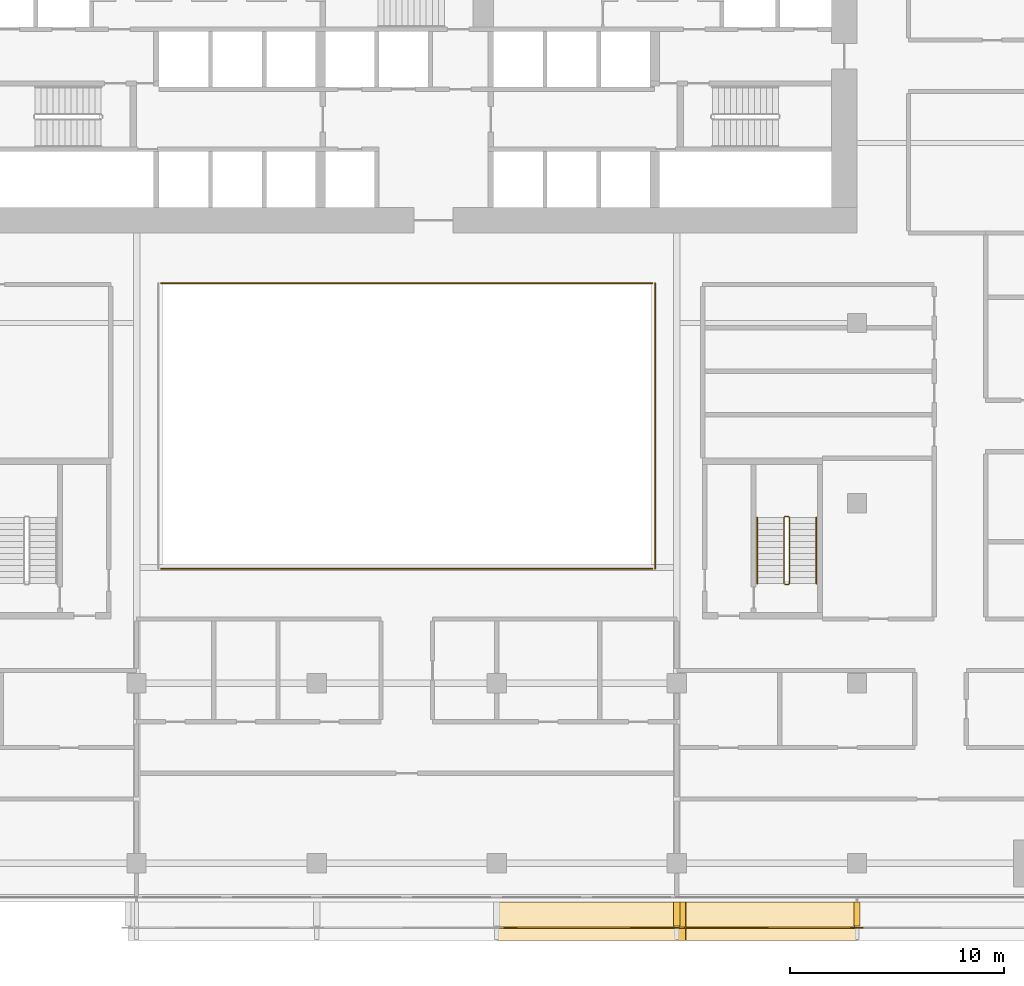
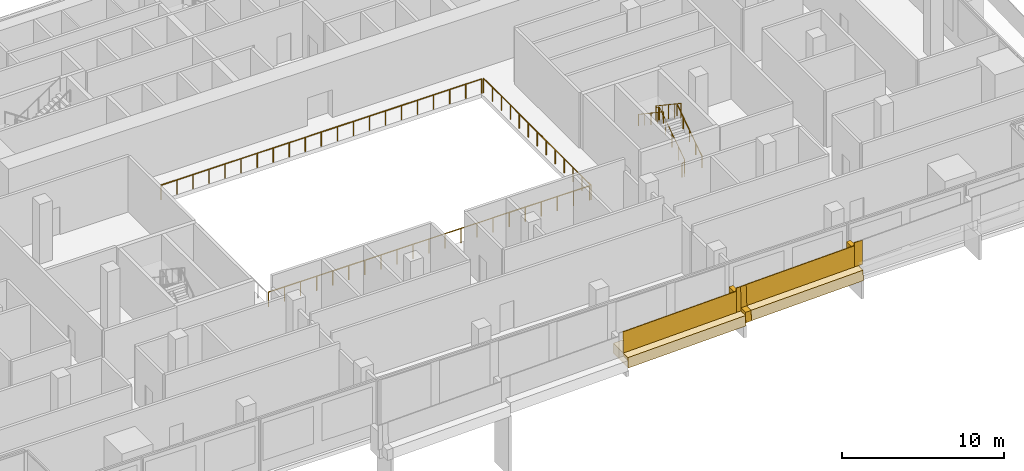
# One storey, part 21 of 24: 11 railings, 5 coverings.
"""IFC4 building model written with IfcOpenShell, lengths in metres."""

from ifc_helpers import new_model, si_unit, direction, frame, origin, origin_2d, place, context, subcontext, project, spatial, polyline, rectangle, circle, outline, extrude, material, layer, layer_set, type_object, element, save


model = new_model("IFC4")

# Units and contexts
model_context = context("Model", 3, precision=1e-05, world=origin(), true_north=direction((0.0, 1.0)))
body_context = subcontext(model_context, "Body", "Model", "MODEL_VIEW")
ifc_project = project(units=[si_unit("LENGTHUNIT", "METRE"), si_unit("AREAUNIT", "SQUARE_METRE"), si_unit("VOLUMEUNIT", "CUBIC_METRE"), si_unit("PLANEANGLEUNIT", "RADIAN"), si_unit("MASSUNIT", "GRAM", prefix="KILO")], contexts=[model_context])

# Site, building, storey
site_placement = place(None, origin())
site = spatial("IfcSite", under=ifc_project, at=site_placement, CompositionType="ELEMENT")
building_placement = place(site_placement, origin())
building = spatial("IfcBuilding", under=site, at=building_placement, Name="Saffron Gate Tower", CompositionType="ELEMENT")
storey_placement = place(building_placement, frame((0.0, 0.0, 28.199951171875)))
storey = spatial("IfcBuildingStorey", under=building, at=storey_placement, Name="L05", CompositionType="ELEMENT", Elevation=28.199951171875)

# Railings
ifc_material_1 = material(Name="Stainless steel and laminated glass", Category="steel")
railing_type_1 = type_object("IfcRailingType", Name="AG1 Atrium edge guard 1100", PredefinedType="GUARDRAIL", material=ifc_material_1)
railing_1_placement = place(storey_placement, frame((76.139892578125, 58.860107421875, 0.0)))
element("IfcRailing", 1, at=railing_1_placement, inside=storey, type_object=railing_type_1, Name="Guard S2-2", PredefinedType="GUARDRAIL", context=body_context, shape_type="SweptSolid", body=[
    extrude(circle(Radius=0.02392578125, at=origin_2d()), frame((0.0, 0.0, 1.076171875), z_axis=(1.0, 0.0, 0.0), x_axis=(0.0, 1.0, 0.0)), (0.0, 0.0, 1.0), 22.920166015625),
    extrude(circle(Radius=0.02099609375, at=origin_2d()), origin(), (0.0, 0.0, 1.0), 1.052001953125),
    extrude(circle(Radius=0.02099609375, at=origin_2d()), frame((1.14599609375, 0.0, 0.0)), (0.0, 0.0, 1.0), 1.052001953125),
    extrude(circle(Radius=0.02099609375, at=origin_2d()), frame((2.2919921875, 0.0, 0.0)), (0.0, 0.0, 1.0), 1.052001953125),
    extrude(circle(Radius=0.02099609375, at=origin_2d()), frame((3.43798828125, 0.0, 0.0)), (0.0, 0.0, 1.0), 1.052001953125),
    extrude(circle(Radius=0.02099609375, at=origin_2d()), frame((4.583984375, 0.0, 0.0)), (0.0, 0.0, 1.0), 1.052001953125),
    extrude(circle(Radius=0.02099609375, at=origin_2d()), frame((5.72998046875, 0.0, 0.0)), (0.0, 0.0, 1.0), 1.052001953125),
    extrude(circle(Radius=0.02099609375, at=origin_2d()), frame((6.8759765625, 0.0, 0.0)), (0.0, 0.0, 1.0), 1.052001953125),
    extrude(circle(Radius=0.02099609375, at=origin_2d()), frame((8.02197265625, 0.0, 0.0)), (0.0, 0.0, 1.0), 1.052001953125),
    extrude(circle(Radius=0.02099609375, at=origin_2d()), frame((9.16796875, 0.0, 0.0)), (0.0, 0.0, 1.0), 1.052001953125),
    extrude(circle(Radius=0.02099609375, at=origin_2d()), frame((10.31396484375, 0.0, 0.0)), (0.0, 0.0, 1.0), 1.052001953125),
    extrude(circle(Radius=0.02099609375, at=origin_2d()), frame((11.4599609375, 0.0, 0.0)), (0.0, 0.0, 1.0), 1.052001953125),
    extrude(circle(Radius=0.02099609375, at=origin_2d()), frame((12.606201171875, 0.0, 0.0)), (0.0, 0.0, 1.0), 1.052001953125),
    extrude(circle(Radius=0.02099609375, at=origin_2d()), frame((13.752197265625, 0.0, 0.0)), (0.0, 0.0, 1.0), 1.052001953125),
    extrude(circle(Radius=0.02099609375, at=origin_2d()), frame((14.898193359375, 0.0, 0.0)), (0.0, 0.0, 1.0), 1.052001953125),
    extrude(circle(Radius=0.02099609375, at=origin_2d()), frame((16.044189453125, 0.0, 0.0)), (0.0, 0.0, 1.0), 1.052001953125),
    extrude(circle(Radius=0.02099609375, at=origin_2d()), frame((17.190185546875, 0.0, 0.0)), (0.0, 0.0, 1.0), 1.052001953125),
    extrude(circle(Radius=0.02099609375, at=origin_2d()), frame((18.336181640625, 0.0, 0.0)), (0.0, 0.0, 1.0), 1.052001953125),
    extrude(circle(Radius=0.02099609375, at=origin_2d()), frame((19.482177734375, 0.0, 0.0)), (0.0, 0.0, 1.0), 1.052001953125),
    extrude(circle(Radius=0.02099609375, at=origin_2d()), frame((20.628173828125, 0.0, 0.0)), (0.0, 0.0, 1.0), 1.052001953125),
    extrude(circle(Radius=0.02099609375, at=origin_2d()), frame((21.774169921875, 0.0, 0.0)), (0.0, 0.0, 1.0), 1.052001953125),
    extrude(circle(Radius=0.02099609375, at=origin_2d()), frame((22.920166015625, 0.0, 0.0)), (0.0, 0.0, 1.0), 1.052001953125),
])
railing_2_placement = place(storey_placement, frame((99.179931640625, 58.860107421875, 0.0)))
element("IfcRailing", 2, at=railing_2_placement, inside=storey, type_object=railing_type_1, Name="Guard S2-3", PredefinedType="GUARDRAIL", context=body_context, shape_type="SweptSolid", body=[
    extrude(circle(Radius=0.02392578125, at=origin_2d()), frame((0.0, 0.0, 1.076171875), z_axis=(0.0, -1.0, 0.0), x_axis=(1.0, 0.0, 0.0)), (0.0, 0.0, 1.0), 13.320068359375),
    extrude(circle(Radius=0.02099609375, at=origin_2d()), origin(), (0.0, 0.0, 1.0), 1.052001953125),
    extrude(circle(Radius=0.02099609375, at=origin_2d()), frame((0.0, -1.110107421875, 0.0)), (0.0, 0.0, 1.0), 1.052001953125),
    extrude(circle(Radius=0.02099609375, at=origin_2d()), frame((0.0, -2.219970703125, 0.0)), (0.0, 0.0, 1.0), 1.052001953125),
    extrude(circle(Radius=0.02099609375, at=origin_2d()), frame((0.0, -3.330078125, 0.0)), (0.0, 0.0, 1.0), 1.052001953125),
    extrude(circle(Radius=0.02099609375, at=origin_2d()), frame((0.0, -4.43994140625, 0.0)), (0.0, 0.0, 1.0), 1.052001953125),
    extrude(circle(Radius=0.02099609375, at=origin_2d()), frame((0.0, -5.550048828125, 0.0)), (0.0, 0.0, 1.0), 1.052001953125),
    extrude(circle(Radius=0.02099609375, at=origin_2d()), frame((0.0, -6.66015625, 0.0)), (0.0, 0.0, 1.0), 1.052001953125),
    extrude(circle(Radius=0.02099609375, at=origin_2d()), frame((0.0, -7.77001953125, 0.0)), (0.0, 0.0, 1.0), 1.052001953125),
    extrude(circle(Radius=0.02099609375, at=origin_2d()), frame((0.0, -8.880126953125, 0.0)), (0.0, 0.0, 1.0), 1.052001953125),
    extrude(circle(Radius=0.02099609375, at=origin_2d()), frame((0.0, -9.989990234375, 0.0)), (0.0, 0.0, 1.0), 1.052001953125),
    extrude(circle(Radius=0.02099609375, at=origin_2d()), frame((0.0, -11.10009765625, 0.0)), (0.0, 0.0, 1.0), 1.052001953125),
    extrude(circle(Radius=0.02099609375, at=origin_2d()), frame((0.0, -12.2099609375, 0.0)), (0.0, 0.0, 1.0), 1.052001953125),
    extrude(circle(Radius=0.02099609375, at=origin_2d()), frame((0.0, -13.320068359375, 0.0)), (0.0, 0.0, 1.0), 1.052001953125),
])
railing_3_placement = place(storey_placement, frame((99.06005859375, 45.5400390625, 0.0)))
element("IfcRailing", 3, at=railing_3_placement, inside=storey, type_object=railing_type_1, Name="Guard S2-4", PredefinedType="GUARDRAIL", context=body_context, shape_type="SweptSolid", body=[
    extrude(circle(Radius=0.02392578125, at=origin_2d()), frame((0.0, 0.0, 1.076171875), z_axis=(-1.0, 0.0, 0.0), x_axis=(0.0, -1.0, 0.0)), (0.0, 0.0, 1.0), 22.920166015625),
    extrude(circle(Radius=0.02099609375, at=origin_2d()), origin(), (0.0, 0.0, 1.0), 1.052001953125),
    extrude(circle(Radius=0.02099609375, at=origin_2d()), frame((-1.14599609375, 0.0, 0.0)), (0.0, 0.0, 1.0), 1.052001953125),
    extrude(circle(Radius=0.02099609375, at=origin_2d()), frame((-2.2919921875, 0.0, 0.0)), (0.0, 0.0, 1.0), 1.052001953125),
    extrude(circle(Radius=0.02099609375, at=origin_2d()), frame((-3.43798828125, 0.0, 0.0)), (0.0, 0.0, 1.0), 1.052001953125),
    extrude(circle(Radius=0.02099609375, at=origin_2d()), frame((-4.583984375, 0.0, 0.0)), (0.0, 0.0, 1.0), 1.052001953125),
    extrude(circle(Radius=0.02099609375, at=origin_2d()), frame((-5.72998046875, 0.0, 0.0)), (0.0, 0.0, 1.0), 1.052001953125),
    extrude(circle(Radius=0.02099609375, at=origin_2d()), frame((-6.8759765625, 0.0, 0.0)), (0.0, 0.0, 1.0), 1.052001953125),
    extrude(circle(Radius=0.02099609375, at=origin_2d()), frame((-8.02197265625, 0.0, 0.0)), (0.0, 0.0, 1.0), 1.052001953125),
    extrude(circle(Radius=0.02099609375, at=origin_2d()), frame((-9.16796875, 0.0, 0.0)), (0.0, 0.0, 1.0), 1.052001953125),
    extrude(circle(Radius=0.02099609375, at=origin_2d()), frame((-10.31396484375, 0.0, 0.0)), (0.0, 0.0, 1.0), 1.052001953125),
    extrude(circle(Radius=0.02099609375, at=origin_2d()), frame((-11.4599609375, 0.0, 0.0)), (0.0, 0.0, 1.0), 1.052001953125),
    extrude(circle(Radius=0.02099609375, at=origin_2d()), frame((-12.606201171875, 0.0, 0.0)), (0.0, 0.0, 1.0), 1.052001953125),
    extrude(circle(Radius=0.02099609375, at=origin_2d()), frame((-13.752197265625, 0.0, 0.0)), (0.0, 0.0, 1.0), 1.052001953125),
    extrude(circle(Radius=0.02099609375, at=origin_2d()), frame((-14.898193359375, 0.0, 0.0)), (0.0, 0.0, 1.0), 1.052001953125),
    extrude(circle(Radius=0.02099609375, at=origin_2d()), frame((-16.044189453125, 0.0, 0.0)), (0.0, 0.0, 1.0), 1.052001953125),
    extrude(circle(Radius=0.02099609375, at=origin_2d()), frame((-17.190185546875, 0.0, 0.0)), (0.0, 0.0, 1.0), 1.052001953125),
    extrude(circle(Radius=0.02099609375, at=origin_2d()), frame((-18.336181640625, 0.0, 0.0)), (0.0, 0.0, 1.0), 1.052001953125),
    extrude(circle(Radius=0.02099609375, at=origin_2d()), frame((-19.482177734375, 0.0, 0.0)), (0.0, 0.0, 1.0), 1.052001953125),
    extrude(circle(Radius=0.02099609375, at=origin_2d()), frame((-20.628173828125, 0.0, 0.0)), (0.0, 0.0, 1.0), 1.052001953125),
    extrude(circle(Radius=0.02099609375, at=origin_2d()), frame((-21.774169921875, 0.0, 0.0)), (0.0, 0.0, 1.0), 1.052001953125),
    extrude(circle(Radius=0.02099609375, at=origin_2d()), frame((-22.920166015625, 0.0, 0.0)), (0.0, 0.0, 1.0), 1.052001953125),
])
railing_type_2 = type_object("IfcRailingType", Name="CR1 Stair guard 1100", PredefinedType="GUARDRAIL", material=ifc_material_1)
railing_4_placement = place(storey_placement, frame((105.25, 44.800048828125, 0.0)))
element("IfcRailing", 4, at=railing_4_placement, inside=storey, type_object=railing_type_2, Name="L05 ST-E stair guard 1", PredefinedType="GUARDRAIL", context=body_context, shape_type="SweptSolid", body=[
    extrude(circle(Radius=0.02392578125, at=origin_2d()), frame((0.0, 0.0, 1.076171875), z_axis=(1.0, 0.0, 0.0), x_axis=(0.0, 1.0, 0.0)), (0.0, 0.0, 1.0), 0.14990234375),
    extrude(circle(Radius=0.02392578125, at=origin_2d()), frame((0.14990234375, 0.0, 1.076171875), z_axis=(0.249726431254, 0.249726431254, 0.935560483917), x_axis=(-0.707106781187, 0.707106781187, 0.0)), (0.0, 0.0, 1.0), 0.200439453125),
    extrude(circle(Radius=0.02392578125, at=origin_2d()), frame((0.199951171875, 0.050048828125, 1.263671875), z_axis=(0.0, 0.830893310487, 0.556431762742), x_axis=(-1.0, 0.0, 0.0)), (0.0, 0.0, 1.0), 3.70654296875),
    extrude(circle(Radius=0.02392578125, at=origin_2d()), frame((0.199951171875, 3.1298828125, 3.326171875), z_axis=(-0.707106781187, 0.707106781187, 0.0), x_axis=(-0.707106781187, -0.707106781187, 0.0)), (0.0, 0.0, 1.0), 0.07080078125),
    extrude(circle(Radius=0.02392578125, at=origin_2d()), frame((0.14990234375, 3.179931640625, 3.326171875), z_axis=(-1.0, 0.0, 0.0), x_axis=(0.0, -1.0, 0.0)), (0.0, 0.0, 1.0), 0.14990234375),
    extrude(circle(Radius=0.02392578125, at=origin_2d()), frame((0.0, 3.179931640625, 3.326171875), z_axis=(-0.249726431254, -0.249726431254, 0.935560483917), x_axis=(0.707106781187, -0.707106781187, 0.0)), (0.0, 0.0, 1.0), 0.200439453125),
    extrude(circle(Radius=0.02392578125, at=origin_2d()), frame((-0.050048828125, 3.1298828125, 3.513671875), z_axis=(0.0, -0.830893310487, 0.556431762742), x_axis=(1.0, 0.0, 0.0)), (0.0, 0.0, 1.0), 3.70654296875),
    extrude(circle(Radius=0.02099609375, at=origin_2d()), origin(), (0.0, 0.0, 1.0), 1.052001953125),
    extrude(circle(Radius=0.02099609375, at=origin_2d()), frame((0.14990234375, 0.0, 0.0)), (0.0, 0.0, 1.0), 1.052001953125),
    extrude(circle(Radius=0.02099609375, at=origin_2d()), frame((0.199951171875, 0.050048828125, 0.1875)), (0.0, 0.0, 1.0), 1.052001953125),
    extrude(circle(Radius=0.02099609375, at=origin_2d()), frame((0.199951171875, 0.820068359375, 0.703125)), (0.0, 0.0, 1.0), 1.052001953125),
    extrude(circle(Radius=0.02099609375, at=origin_2d()), frame((0.199951171875, 1.58984375, 1.21875)), (0.0, 0.0, 1.0), 1.052001953125),
    extrude(circle(Radius=0.02099609375, at=origin_2d()), frame((0.199951171875, 2.35986328125, 1.734375)), (0.0, 0.0, 1.0), 1.052001953125),
    extrude(circle(Radius=0.02099609375, at=origin_2d()), frame((0.199951171875, 3.1298828125, 2.25)), (0.0, 0.0, 1.0), 1.052001953125),
    extrude(circle(Radius=0.02099609375, at=origin_2d()), frame((0.14990234375, 3.179931640625, 2.25)), (0.0, 0.0, 1.0), 1.052001953125),
    extrude(circle(Radius=0.02099609375, at=origin_2d()), frame((0.0, 3.179931640625, 2.25)), (0.0, 0.0, 1.0), 1.052001953125),
    extrude(circle(Radius=0.02099609375, at=origin_2d()), frame((-0.050048828125, 3.1298828125, 2.4375)), (0.0, 0.0, 1.0), 1.052001953125),
    extrude(circle(Radius=0.02099609375, at=origin_2d()), frame((-0.050048828125, 2.35986328125, 2.953125)), (0.0, 0.0, 1.0), 1.052001953125),
    extrude(circle(Radius=0.02099609375, at=origin_2d()), frame((-0.050048828125, 1.58984375, 3.46875)), (0.0, 0.0, 1.0), 1.052001953125),
    extrude(circle(Radius=0.02099609375, at=origin_2d()), frame((-0.050048828125, 0.820068359375, 3.984375)), (0.0, 0.0, 1.0), 1.052001953125),
    extrude(circle(Radius=0.02099609375, at=origin_2d()), frame((-0.050048828125, 0.050048828125, 4.5)), (0.0, 0.0, 1.0), 1.052001953125),
])
ifc_material_2 = material(Name="Stainless steel", Category="steel")
railing_type_3 = type_object("IfcRailingType", Name="CR2 Stair handrail 900", PredefinedType="HANDRAIL", material=ifc_material_2)
railing_5_placement = place(storey_placement, frame((106.699951171875, 44.85009765625, 0.1875)))
element("IfcRailing", 5, at=railing_5_placement, inside=storey, type_object=railing_type_3, Name="L05 ST-E stair handrail 1", PredefinedType="HANDRAIL", context=body_context, shape_type="SweptSolid", body=[
    extrude(circle(Radius=0.02392578125, at=origin_2d()), frame((0.0, 0.0, 0.8759765625), z_axis=(0.0, 0.830893310487, 0.556431762742), x_axis=(-1.0, 0.0, 0.0)), (0.0, 0.0, 1.0), 3.70654296875),
    extrude(circle(Radius=0.02099609375, at=origin_2d()), origin(), (0.0, 0.0, 1.0), 0.851806640625),
    extrude(circle(Radius=0.02099609375, at=origin_2d()), frame((0.0, 0.77001953125, 0.515625)), (0.0, 0.0, 1.0), 0.851806640625),
    extrude(circle(Radius=0.02099609375, at=origin_2d()), frame((0.0, 1.5400390625, 1.03125)), (0.0, 0.0, 1.0), 0.851806640625),
    extrude(circle(Radius=0.02099609375, at=origin_2d()), frame((0.0, 2.309814453125, 1.546875)), (0.0, 0.0, 1.0), 0.851806640625),
    extrude(circle(Radius=0.02099609375, at=origin_2d()), frame((0.0, 3.079833984375, 2.0625)), (0.0, 0.0, 1.0), 0.851806640625),
])
railing_6_placement = place(storey_placement, frame((103.949951171875, 47.929931640625, 2.4375)))
element("IfcRailing", 6, at=railing_6_placement, inside=storey, type_object=railing_type_3, Name="L05 ST-E stair handrail 2", PredefinedType="HANDRAIL", context=body_context, shape_type="SweptSolid", body=[
    extrude(circle(Radius=0.02392578125, at=origin_2d()), frame((0.0, 0.0, 0.8759765625), z_axis=(0.0, -0.830893310487, 0.556431762742), x_axis=(1.0, 0.0, 0.0)), (0.0, 0.0, 1.0), 3.70654296875),
    extrude(circle(Radius=0.02099609375, at=origin_2d()), origin(), (0.0, 0.0, 1.0), 0.851806640625),
    extrude(circle(Radius=0.02099609375, at=origin_2d()), frame((0.0, -0.77001953125, 0.515625)), (0.0, 0.0, 1.0), 0.851806640625),
    extrude(circle(Radius=0.02099609375, at=origin_2d()), frame((0.0, -1.5400390625, 1.03125)), (0.0, 0.0, 1.0), 0.851806640625),
    extrude(circle(Radius=0.02099609375, at=origin_2d()), frame((0.0, -2.309814453125, 1.546875)), (0.0, 0.0, 1.0), 0.851806640625),
    extrude(circle(Radius=0.02099609375, at=origin_2d()), frame((0.0, -3.079833984375, 2.0625)), (0.0, 0.0, 1.0), 0.851806640625),
])

# Coverings
ifc_material_3 = material(Name="Timber, thermally modified ash", Category="wood")
ifc_layer_1 = layer(ifc_material_3, 0.800048828125)
ifc_layer_set_1 = layer_set([ifc_layer_1], Name="LD1 ledge timber")
covering_type_1 = type_object("IfcCoveringType", Name="LD1 ledge timber", PredefinedType="CLADDING", material=ifc_layer_set_1)
covering_1_placement = place(storey_placement, frame((91.800048828125, 30.0, 1.159423828125), z_axis=(-0.028791175352, 0.0, 0.999585448184), x_axis=(0.999585448184, 0.0, 0.028791175352)))
element("IfcCovering", 7, at=covering_1_placement, inside=storey, type_object=covering_type_1, Name="LEDGE", PredefinedType="CLADDING", context=body_context, shape_type="SweptSolid", body=[
    extrude(outline(polyline([(0.0, 0.0), (8.403385982666892, 0.0), (8.403385982666892, -1.800048828125), (0.0, -1.800048828125), (0.0, 0.0)])), origin(), (0.0, 0.0, -1.0), 0.800048828125),
])
covering_2_placement = place(storey_placement, frame((100.199951171875, 30.0, 1.632568359375), z_axis=(-0.028664238881, 0.0, 0.999589096284), x_axis=(0.999589096284, 0.0, 0.028664238881)))
element("IfcCovering", 8, at=covering_2_placement, inside=storey, type_object=covering_type_1, Name="LEDGE", PredefinedType="CLADDING", context=body_context, shape_type="SweptSolid", body=[
    extrude(outline(polyline([(0.0, 0.0), (0.40031097364171886, 0.0), (0.40031097364171886, -1.8000488281250004), (0.0, -1.8000488281250004), (0.0, 0.0)])), origin(), (0.0, 0.0, -1.0), 0.800048828125),
])
covering_3_placement = place(storey_placement, frame((100.60009765625, 30.0, 1.655029296875), z_axis=(-0.028796646555, 0.0, 0.999585290582), x_axis=(0.999585290582, 0.0, 0.028796646555)))
element("IfcCovering", 9, at=covering_3_placement, inside=storey, type_object=covering_type_1, Name="LEDGE", PredefinedType="CLADDING", context=body_context, shape_type="SweptSolid", body=[
    extrude(outline(polyline([(0.0, 0.0), (8.003319051788862, 0.0), (8.003319051788862, -1.800048828125), (0.0, -1.800048828125), (0.0, 0.0)])), origin(), (0.0, 0.0, -1.0), 0.800048828125),
])
ifc_layer_2 = layer(ifc_material_3, 0.300048828125)
ifc_layer_set_2 = layer_set([ifc_layer_2], Name="LD3 ledge riser fin")
covering_type_2 = type_object("IfcCoveringType", Name="LD3 ledge riser fin", PredefinedType="CLADDING", material=ifc_layer_set_2)
covering_4_placement = place(storey_placement, frame((100.199951171875, 29.43994140625, 0.601318359375), z_axis=(0.0, 0.0, 1.0), x_axis=(1.0, 0.0, 0.0)))
element("IfcCovering", 10, at=covering_4_placement, inside=storey, type_object=covering_type_2, Name="LEDGE riser fin", PredefinedType="CLADDING", context=body_context, shape_type="SweptSolid", body=[
    extrude(rectangle(XDim=0.300048828125, YDim=1.1201171875, at=origin_2d()), origin(), (0.0, 0.0, 1.0), 1.93115234375),
])
covering_5_placement = place(storey_placement, frame((108.60009765625, 29.43994140625, 1.08544921875), z_axis=(0.0, 0.0, 1.0), x_axis=(1.0, 0.0, 0.0)))
element("IfcCovering", 11, at=covering_5_placement, inside=storey, type_object=covering_type_2, Name="LEDGE riser fin", PredefinedType="CLADDING", context=body_context, shape_type="SweptSolid", body=[
    extrude(rectangle(XDim=0.300048828125, YDim=1.1201171875, at=origin_2d()), origin(), (0.0, 0.0, 1.0), 1.920166015625),
])

# Railings
railing_type_4 = type_object("IfcRailingType", Name="LG1 ledge balustrade", PredefinedType="BALUSTRADE", material=ifc_material_3)
railing_7_placement = place(storey_placement, frame((91.800048828125, 28.800048828125, 1.159423828125)))
element("IfcRailing", 12, at=railing_7_placement, inside=storey, type_object=railing_type_4, Name="LEDGE BALUSTRADE", PredefinedType="BALUSTRADE", context=body_context, shape_type="SweptSolid", body=[
    extrude(rectangle(XDim=0.06005859375, YDim=1.60009765625, at=origin_2d()), frame((0.0, 0.0, 0.800048828125), z_axis=(0.999585448184, 0.0, 0.028791175352), x_axis=(0.0, 1.0, 0.0)), (0.0, 0.0, 1.0), 8.4033203125),
])
railing_8_placement = place(storey_placement, frame((100.199951171875, 28.800048828125, 1.632568359375)))
element("IfcRailing", 13, at=railing_8_placement, inside=storey, type_object=railing_type_4, Name="LEDGE BALUSTRADE", PredefinedType="BALUSTRADE", context=body_context, shape_type="SweptSolid", body=[
    extrude(rectangle(XDim=0.06005859375, YDim=1.60009765625, at=origin_2d()), frame((0.0, 0.0, 0.800048828125), z_axis=(0.999589096284, 0.0, 0.028664238881), x_axis=(0.0, 1.0, 0.0)), (0.0, 0.0, 1.0), 0.400390625),
])
railing_9_placement = place(storey_placement, frame((99.89990234375, 28.800048828125, 1.4013671875)))
element("IfcRailing", 14, at=railing_9_placement, inside=storey, type_object=railing_type_4, Name="LEDGE BALUSTRADE", PredefinedType="BALUSTRADE", context=body_context, shape_type="SweptSolid", body=[
    extrude(rectangle(XDim=0.06005859375, YDim=1.8310546875, at=origin_2d()), frame((0.0, 0.0, 0.91552734375), z_axis=(1.0, 0.0, 0.0), x_axis=(0.0, 1.0, 0.0)), (0.0, 0.0, 1.0), 0.60009765625),
])
railing_10_placement = place(storey_placement, frame((100.60009765625, 28.800048828125, 1.655029296875)))
element("IfcRailing", 15, at=railing_10_placement, inside=storey, type_object=railing_type_4, Name="LEDGE BALUSTRADE", PredefinedType="BALUSTRADE", context=body_context, shape_type="SweptSolid", body=[
    extrude(rectangle(XDim=0.06005859375, YDim=1.60009765625, at=origin_2d()), frame((0.0, 0.0, 0.800048828125), z_axis=(0.999585290582, 0.0, 0.028796646555), x_axis=(0.0, 1.0, 0.0)), (0.0, 0.0, 1.0), 8.00341796875),
])
railing_11_placement = place(storey_placement, frame((108.300048828125, 28.800048828125, 1.885498046875)))
element("IfcRailing", 16, at=railing_11_placement, inside=storey, type_object=railing_type_4, Name="LEDGE BALUSTRADE", PredefinedType="BALUSTRADE", context=body_context, shape_type="SweptSolid", body=[
    extrude(rectangle(XDim=0.06005859375, YDim=1.820068359375, at=origin_2d()), frame((0.0, 0.0, 0.91015625), z_axis=(1.0, 0.0, 0.0), x_axis=(0.0, 1.0, 0.0)), (0.0, 0.0, 1.0), 0.599853515625),
])

save(model, "model.ifc")
